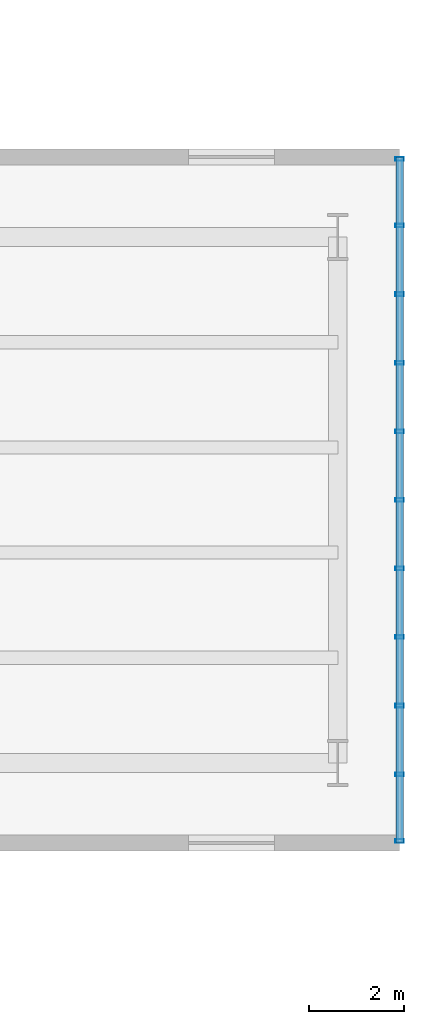
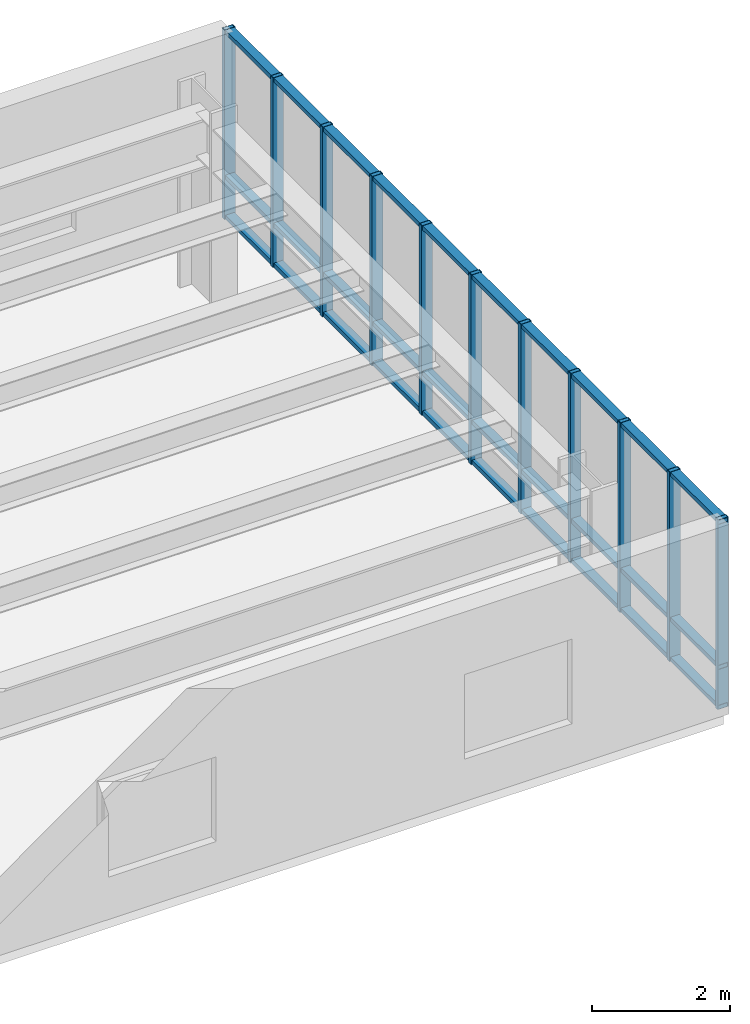
# One storey, part 3 of 10: 14 members, 1 element without a shape of its own.
"""IFC4 building model written with IfcOpenShell, lengths in metres."""

from ifc_helpers import new_model, si_unit, direction, frame, origin, origin_2d, place, context, subcontext, project, spatial, hollow_rectangle, extrude, material, layer, layer_set, material_profile, profile_set, type_object, element, aggregate, save


model = new_model("IFC4")

# Units and contexts
model_context = context("Model", 3, precision=1e-05, world=origin(), true_north=direction((0.0, 1.0)))
body_context = subcontext(model_context, "Body", "Model", "MODEL_VIEW")
ifc_project = project(units=[si_unit("LENGTHUNIT", "METRE"), si_unit("AREAUNIT", "SQUARE_METRE"), si_unit("VOLUMEUNIT", "CUBIC_METRE"), si_unit("PLANEANGLEUNIT", "RADIAN"), si_unit("MASSUNIT", "GRAM", prefix="KILO"), si_unit("THERMODYNAMICTEMPERATUREUNIT", "KELVIN"), si_unit("POWERUNIT", "WATT")], contexts=[model_context])

# Site, building, storey
site_placement = place(None, origin())
site = spatial("IfcSite", under=ifc_project, at=site_placement, CompositionType="ELEMENT")
building_placement = place(site_placement, origin())
building = spatial("IfcBuilding", under=site, at=building_placement, Name="Skarre Station Tower", CompositionType="ELEMENT")
storey_placement = place(building_placement, frame((0.0, 0.0, 52.550048828125)))
storey = spatial("IfcBuildingStorey", under=building, at=storey_placement, Name="L13", CompositionType="ELEMENT", Elevation=52.550048828125)

# Curtain wall, members
ifc_material_1 = material(Name="Thermally Broken Bronze-Anodized Aluminium & Triple Low-E Glass", Category="aluminium")
ifc_layer = layer(ifc_material_1, 0.2099609375, Name="Thermally Broken Bronze-Anodized Aluminium & Triple Low-E Glass")
ifc_layer_set = layer_set([ifc_layer], Name="Thermally Broken Bronze-Anodized Aluminium & Triple Low-E Glass")
curtain_wall_type = type_object("IfcCurtainWallType", Name="Sky-Bar Prow Structural Glazed Curtain Wall", PredefinedType="NOTDEFINED", material=ifc_layer_set)
curtain_wall_placement = place(storey_placement, origin())
curtain_wall = element("IfcCurtainWall", 1, at=curtain_wall_placement, inside=storey, type_object=curtain_wall_type, Name="L13 SB-1 Lakefront Prow Curtain Wall", PredefinedType="NOTDEFINED")
ifc_material_2 = material(Name="Anodized Aluminium 6063-T6", Category="aluminium")
ifc_material_profile_1 = material_profile(ifc_material_2, hollow_rectangle(XDim=0.074951171875, YDim=0.14990234375, WallThickness=0.00390625, at=origin_2d()), Name="Anodized Aluminium 6063-T6")
ifc_profile_set_1 = profile_set([ifc_material_profile_1], Name="Anodized Aluminium 6063-T6")
member_type_1 = type_object("IfcMemberType", Name="Curtain-Wall Secondary Transom 150x75", PredefinedType="USERDEFINED", material=ifc_profile_set_1)
member_1_placement = place(storey_placement, frame((78.863037109375, 31.199951171875, 0.0400390625), z_axis=(0.0, -1.0, 0.0), x_axis=(0.0, 0.0, 1.0)))
member_1 = element("IfcMember", 2, at=member_1_placement, type_object=member_type_1, Name="L13 SB-1 Lakefront Prow Curtain Wall Transom 1", ObjectType="TRANSOM", PredefinedType="USERDEFINED", context=body_context, shape_type="SweptSolid", body=[
    extrude(hollow_rectangle(XDim=0.074951171875, YDim=0.14990234375, WallThickness=0.00390625, at=origin_2d()), origin(), (0.0, 0.0, 1.0), 14.39990234375),
])
member_2_placement = place(storey_placement, frame((78.863037109375, 31.199951171875, 0.75), z_axis=(0.0, -1.0, 0.0), x_axis=(0.0, 0.0, 1.0)))
member_2 = element("IfcMember", 3, at=member_2_placement, type_object=member_type_1, Name="L13 SB-1 Lakefront Prow Curtain Wall Transom 2", ObjectType="TRANSOM", PredefinedType="USERDEFINED", context=body_context, shape_type="SweptSolid", body=[
    extrude(hollow_rectangle(XDim=0.074951171875, YDim=0.14990234375, WallThickness=0.00390625, at=origin_2d()), origin(), (0.0, 0.0, 1.0), 14.39990234375),
])
member_3_placement = place(storey_placement, frame((78.863037109375, 31.199951171875, 3.320068359375), z_axis=(0.0, -1.0, 0.0), x_axis=(0.0, 0.0, 1.0)))
member_3 = element("IfcMember", 4, at=member_3_placement, type_object=member_type_1, Name="L13 SB-1 Lakefront Prow Curtain Wall Transom 3", ObjectType="TRANSOM", PredefinedType="USERDEFINED", context=body_context, shape_type="SweptSolid", body=[
    extrude(hollow_rectangle(XDim=0.074951171875, YDim=0.14990234375, WallThickness=0.00390625, at=origin_2d()), origin(), (0.0, 0.0, 1.0), 14.39990234375),
])
ifc_material_profile_2 = material_profile(ifc_material_2, hollow_rectangle(XDim=0.074951171875, YDim=0.179931640625, WallThickness=0.00390625, at=origin_2d()), Name="Anodized Aluminium 6063-T6")
ifc_profile_set_2 = profile_set([ifc_material_profile_2], Name="Anodized Aluminium 6063-T6")
member_type_2 = type_object("IfcMemberType", Name="Curtain-Wall Unitised Tower Mullion 180x75", PredefinedType="MULLION", material=ifc_profile_set_2)
member_4_placement = place(storey_placement, frame((78.863037109375, 31.159912109375, 0.0), z_axis=(0.0, 0.0, 1.0), x_axis=(0.0, -1.0, 0.0)))
member_4 = element("IfcMember", 5, at=member_4_placement, type_object=member_type_2, Name="L13 SB-1 Lakefront Prow Curtain Wall Mullion 1", PredefinedType="MULLION", context=body_context, shape_type="SweptSolid", body=[
    extrude(hollow_rectangle(XDim=0.074951171875, YDim=0.179931640625, WallThickness=0.00390625, at=origin_2d()), origin(), (0.0, 0.0, 1.0), 3.35986328125),
])
member_5_placement = place(storey_placement, frame((78.863037109375, 29.760009765625, 0.0), z_axis=(0.0, 0.0, 1.0), x_axis=(0.0, -1.0, 0.0)))
member_5 = element("IfcMember", 6, at=member_5_placement, type_object=member_type_2, Name="L13 SB-1 Lakefront Prow Curtain Wall Mullion 2", PredefinedType="MULLION", context=body_context, shape_type="SweptSolid", body=[
    extrude(hollow_rectangle(XDim=0.074951171875, YDim=0.179931640625, WallThickness=0.00390625, at=origin_2d()), origin(), (0.0, 0.0, 1.0), 3.35986328125),
])
member_6_placement = place(storey_placement, frame((78.863037109375, 28.320068359375, 0.0), z_axis=(0.0, 0.0, 1.0), x_axis=(0.0, -1.0, 0.0)))
member_6 = element("IfcMember", 7, at=member_6_placement, type_object=member_type_2, Name="L13 SB-1 Lakefront Prow Curtain Wall Mullion 3", PredefinedType="MULLION", context=body_context, shape_type="SweptSolid", body=[
    extrude(hollow_rectangle(XDim=0.074951171875, YDim=0.179931640625, WallThickness=0.00390625, at=origin_2d()), origin(), (0.0, 0.0, 1.0), 3.35986328125),
])
member_7_placement = place(storey_placement, frame((78.863037109375, 26.8798828125, 0.0), z_axis=(0.0, 0.0, 1.0), x_axis=(0.0, -1.0, 0.0)))
member_7 = element("IfcMember", 8, at=member_7_placement, type_object=member_type_2, Name="L13 SB-1 Lakefront Prow Curtain Wall Mullion 4", PredefinedType="MULLION", context=body_context, shape_type="SweptSolid", body=[
    extrude(hollow_rectangle(XDim=0.074951171875, YDim=0.179931640625, WallThickness=0.00390625, at=origin_2d()), origin(), (0.0, 0.0, 1.0), 3.35986328125),
])
member_8_placement = place(storey_placement, frame((78.863037109375, 25.43994140625, 0.0), z_axis=(0.0, 0.0, 1.0), x_axis=(0.0, -1.0, 0.0)))
member_8 = element("IfcMember", 9, at=member_8_placement, type_object=member_type_2, Name="L13 SB-1 Lakefront Prow Curtain Wall Mullion 5", PredefinedType="MULLION", context=body_context, shape_type="SweptSolid", body=[
    extrude(hollow_rectangle(XDim=0.074951171875, YDim=0.179931640625, WallThickness=0.00390625, at=origin_2d()), origin(), (0.0, 0.0, 1.0), 3.35986328125),
])
member_9_placement = place(storey_placement, frame((78.863037109375, 24.0, 0.0), z_axis=(0.0, 0.0, 1.0), x_axis=(0.0, -1.0, 0.0)))
member_9 = element("IfcMember", 10, at=member_9_placement, type_object=member_type_2, Name="L13 SB-1 Lakefront Prow Curtain Wall Mullion 6", PredefinedType="MULLION", context=body_context, shape_type="SweptSolid", body=[
    extrude(hollow_rectangle(XDim=0.074951171875, YDim=0.179931640625, WallThickness=0.00390625, at=origin_2d()), origin(), (0.0, 0.0, 1.0), 3.35986328125),
])
member_10_placement = place(storey_placement, frame((78.863037109375, 22.56005859375, 0.0), z_axis=(0.0, 0.0, 1.0), x_axis=(0.0, -1.0, 0.0)))
member_10 = element("IfcMember", 11, at=member_10_placement, type_object=member_type_2, Name="L13 SB-1 Lakefront Prow Curtain Wall Mullion 7", PredefinedType="MULLION", context=body_context, shape_type="SweptSolid", body=[
    extrude(hollow_rectangle(XDim=0.074951171875, YDim=0.179931640625, WallThickness=0.00390625, at=origin_2d()), origin(), (0.0, 0.0, 1.0), 3.35986328125),
])
member_11_placement = place(storey_placement, frame((78.863037109375, 21.1201171875, 0.0), z_axis=(0.0, 0.0, 1.0), x_axis=(0.0, -1.0, 0.0)))
member_11 = element("IfcMember", 12, at=member_11_placement, type_object=member_type_2, Name="L13 SB-1 Lakefront Prow Curtain Wall Mullion 8", PredefinedType="MULLION", context=body_context, shape_type="SweptSolid", body=[
    extrude(hollow_rectangle(XDim=0.074951171875, YDim=0.179931640625, WallThickness=0.00390625, at=origin_2d()), origin(), (0.0, 0.0, 1.0), 3.35986328125),
])
member_12_placement = place(storey_placement, frame((78.863037109375, 19.679931640625, 0.0), z_axis=(0.0, 0.0, 1.0), x_axis=(0.0, -1.0, 0.0)))
member_12 = element("IfcMember", 13, at=member_12_placement, type_object=member_type_2, Name="L13 SB-1 Lakefront Prow Curtain Wall Mullion 9", PredefinedType="MULLION", context=body_context, shape_type="SweptSolid", body=[
    extrude(hollow_rectangle(XDim=0.074951171875, YDim=0.179931640625, WallThickness=0.00390625, at=origin_2d()), origin(), (0.0, 0.0, 1.0), 3.35986328125),
])
member_13_placement = place(storey_placement, frame((78.863037109375, 18.239990234375, 0.0), z_axis=(0.0, 0.0, 1.0), x_axis=(0.0, -1.0, 0.0)))
member_13 = element("IfcMember", 14, at=member_13_placement, type_object=member_type_2, Name="L13 SB-1 Lakefront Prow Curtain Wall Mullion 10", PredefinedType="MULLION", context=body_context, shape_type="SweptSolid", body=[
    extrude(hollow_rectangle(XDim=0.074951171875, YDim=0.179931640625, WallThickness=0.00390625, at=origin_2d()), origin(), (0.0, 0.0, 1.0), 3.35986328125),
])
member_14_placement = place(storey_placement, frame((78.863037109375, 16.840087890625, 0.0), z_axis=(0.0, 0.0, 1.0), x_axis=(0.0, -1.0, 0.0)))
member_14 = element("IfcMember", 15, at=member_14_placement, type_object=member_type_2, Name="L13 SB-1 Lakefront Prow Curtain Wall Mullion 11", PredefinedType="MULLION", context=body_context, shape_type="SweptSolid", body=[
    extrude(hollow_rectangle(XDim=0.074951171875, YDim=0.179931640625, WallThickness=0.00390625, at=origin_2d()), origin(), (0.0, 0.0, 1.0), 3.35986328125),
])
aggregate(curtain_wall, [member_4, member_5, member_6, member_7, member_8, member_9, member_10, member_11, member_12, member_13, member_14, member_1, member_2, member_3])

save(model, "model.ifc")
